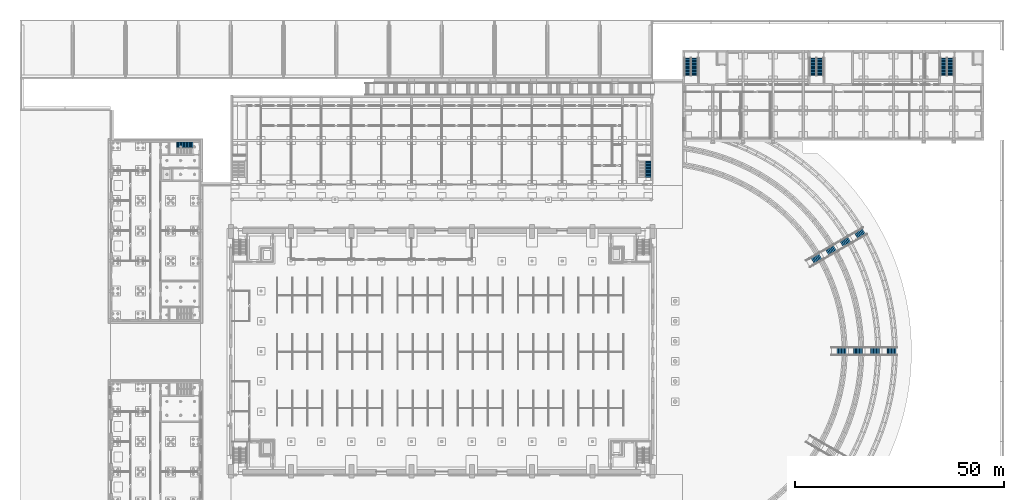
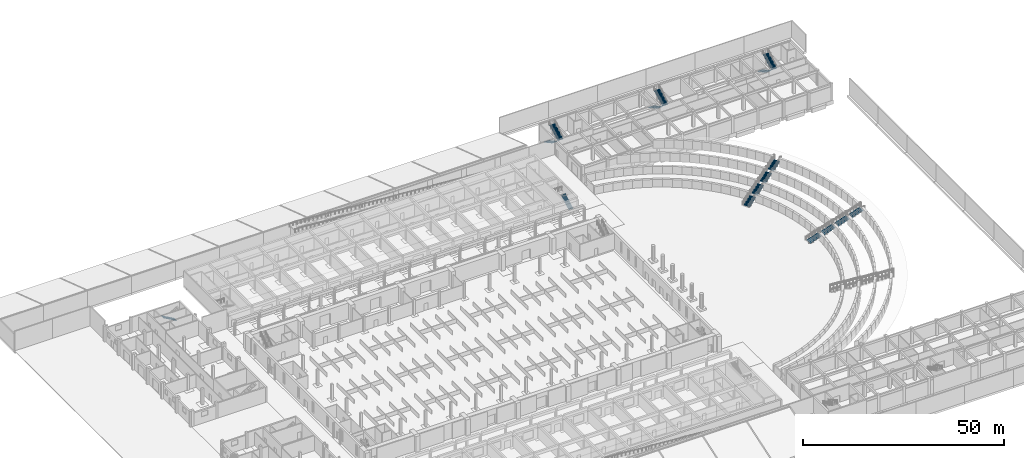
# One storey, part 61 of 73: 16 stair flights, 13 elements without a shape of their own.
"""IFC4 building model written with IfcOpenShell, lengths in metres."""

from ifc_helpers import new_model, si_unit, direction, frame, origin, place, context, subcontext, project, spatial, polyline, outline, extrude, material, type_object, element, aggregate, save


model = new_model("IFC4")

# Units and contexts
model_context = context("Model", 3, precision=1e-05, world=origin(), true_north=direction((0.0, 1.0)))
body_context = subcontext(model_context, "Body", "Model", "MODEL_VIEW")
ifc_project = project(units=[si_unit("LENGTHUNIT", "METRE"), si_unit("AREAUNIT", "SQUARE_METRE"), si_unit("VOLUMEUNIT", "CUBIC_METRE"), si_unit("PLANEANGLEUNIT", "RADIAN"), si_unit("MASSUNIT", "GRAM", prefix="KILO")], contexts=[model_context])

# Site, building, storey
site_placement = place(None, origin())
site = spatial("IfcSite", under=ifc_project, at=site_placement, CompositionType="ELEMENT")
building_placement = place(site_placement, origin())
building = spatial("IfcBuilding", under=site, at=building_placement, Name="Alderwick Market Hall", CompositionType="ELEMENT")
storey_placement = place(building_placement, origin())
storey = spatial("IfcBuildingStorey", under=building, at=storey_placement, Name="LG", CompositionType="ELEMENT", Elevation=0.0)

# Stair, stair flight
ifc_material = material(Name="Concrete 5000 psi (f'c 35 MPa)", Category="concrete")
stair_type_1 = type_object("IfcStairType", Name="A Roof Stair 1300", PredefinedType="TWO_STRAIGHT_RUN_STAIR", material=ifc_material)
stair_1_placement = place(storey_placement, origin())
stair_1 = element("IfcStair", 1, at=stair_1_placement, inside=storey, type_object=stair_type_1, Name="Roof stair NE", PredefinedType="TWO_STRAIGHT_RUN_STAIR")
stair_flight_type_1 = type_object("IfcStairFlightType", Name="A Stair Flight 1300", PredefinedType="STRAIGHT", material=ifc_material)
stair_flight_1_placement = place(storey_placement, frame((150.14990234375, 120.800048828125, 0.0), z_axis=(0.0, 0.0, 1.0), x_axis=(0.0, 1.0, 0.0)))
stair_flight_1 = element("IfcStairFlight", 2, at=stair_flight_1_placement, type_object=stair_flight_type_1, Name="A-ST-NE flight 1", NumberOfRisers=15, NumberOfTreads=14, PredefinedType="STRAIGHT", RiserHeight=0.16, TreadLength=0.28, context=body_context, shape_type="SweptSolid", body=[
    extrude(outline(polyline([(0.00537109375, -0.009521484375), (0.0, 0.0), (0.0, 0.159912109375), (0.280029296875, 0.159912109375), (0.280029296875, 0.320068359375), (0.56005859375, 0.320068359375), (0.56005859375, 0.47998046875), (0.840087890625, 0.47998046875), (0.840087890625, 0.639892578125), (1.1201171875, 0.639892578125), (1.1201171875, 0.800048828125), (1.39990234375, 0.800048828125), (1.39990234375, 0.9599609375), (1.679931640625, 0.9599609375), (1.679931640625, 1.1201171875), (1.9599609375, 1.1201171875), (1.9599609375, 1.280029296875), (2.239990234375, 1.280029296875), (2.239990234375, 1.43994140625), (2.52001953125, 1.43994140625), (2.52001953125, 1.60009765625), (2.800048828125, 1.60009765625), (2.800048828125, 1.760009765625), (3.080078125, 1.760009765625), (3.080078125, 1.919921875), (3.360107421875, 1.919921875), (3.360107421875, 2.080078125), (3.639892578125, 2.080078125), (3.639892578125, 2.239990234375), (3.919921875, 2.239990234375), (3.919921875, 2.227294921875), (0.00537109375, -0.009521484375)])), frame((0.0, 0.64990234375, 0.0), z_axis=(0.0, -1.0, 0.0), x_axis=(1.0, 0.0, 0.0)), (0.0, 0.0, 1.0), 1.300048828125),
])
aggregate(stair_1, [stair_flight_1])

stair_type_2 = type_object("IfcStairType", Name="B Exit Stair 1300", PredefinedType="TWO_STRAIGHT_RUN_STAIR", material=ifc_material)
stair_2_placement = place(storey_placement, origin())
stair_2 = element("IfcStair", 3, at=stair_2_placement, inside=storey, type_object=stair_type_2, Name="Stair N-1 LG", PredefinedType="TWO_STRAIGHT_RUN_STAIR")
stair_flight_type_2 = type_object("IfcStairFlightType", Name="B Stair Flight 1300", PredefinedType="STRAIGHT", material=ifc_material)
stair_flight_2_placement = place(storey_placement, frame((41.300048828125, 128.550048828125, 0.0), z_axis=(0.0, 0.0, 1.0), x_axis=(-1.0, 0.0, 0.0)))
stair_flight_2 = element("IfcStairFlight", 4, at=stair_flight_2_placement, type_object=stair_flight_type_2, Name="B-ST-N-1-LG flight 1", NumberOfRisers=15, NumberOfTreads=14, PredefinedType="STRAIGHT", RiserHeight=0.16, TreadLength=0.28, context=body_context, shape_type="SweptSolid", body=[
    extrude(outline(polyline([(0.00537109375, -0.009521484375), (0.0, 0.0), (0.0, 0.159912109375), (0.280029296875, 0.159912109375), (0.280029296875, 0.320068359375), (0.56005859375, 0.320068359375), (0.56005859375, 0.47998046875), (0.840087890625, 0.47998046875), (0.840087890625, 0.639892578125), (1.1201171875, 0.639892578125), (1.1201171875, 0.800048828125), (1.39990234375, 0.800048828125), (1.39990234375, 0.9599609375), (1.679931640625, 0.9599609375), (1.679931640625, 1.1201171875), (1.9599609375, 1.1201171875), (1.9599609375, 1.280029296875), (2.239990234375, 1.280029296875), (2.239990234375, 1.43994140625), (2.52001953125, 1.43994140625), (2.52001953125, 1.60009765625), (2.800048828125, 1.60009765625), (2.800048828125, 1.760009765625), (3.080078125, 1.760009765625), (3.080078125, 1.919921875), (3.360107421875, 1.919921875), (3.360107421875, 2.080078125), (3.639892578125, 2.080078125), (3.639892578125, 2.239990234375), (3.919921875, 2.239990234375), (3.919921875, 2.227294921875), (0.00537109375, -0.009521484375)])), frame((0.0, 0.64990234375, 0.0), z_axis=(0.0, -1.0, 0.0), x_axis=(1.0, 0.0, 0.0)), (0.0, 0.0, 1.0), 1.300048828125),
])
aggregate(stair_2, [stair_flight_2])

# Stair, stair flights
stair_type_3 = type_object("IfcStairType", Name="F Exit Stair 1600", PredefinedType="HALF_TURN_STAIR", material=ifc_material)
stair_3_placement = place(storey_placement, origin())
stair_3 = element("IfcStair", 5, at=stair_3_placement, inside=storey, type_object=stair_type_3, Name="F.stair.LG.A", PredefinedType="HALF_TURN_STAIR")
stair_flight_type_3 = type_object("IfcStairFlightType", Name="F Stair Flight 1600", PredefinedType="STRAIGHT", material=ifc_material)
stair_flight_3_placement = place(storey_placement, frame((159.60009765625, 149.300048828125, 0.0), z_axis=(0.0, 0.0, 1.0), x_axis=(0.0, -1.0, 0.0)))
stair_flight_3 = element("IfcStairFlight", 6, at=stair_flight_3_placement, type_object=stair_flight_type_3, Name="F-ST-A-LG flight 1", NumberOfRisers=16, NumberOfTreads=15, PredefinedType="STRAIGHT", RiserHeight=0.15, TreadLength=0.28, context=body_context, shape_type="SweptSolid", body=[
    extrude(outline(polyline([(0.00830078125, -0.015625), (0.0, 0.0), (0.0, 0.14990234375), (0.280029296875, 0.14990234375), (0.280029296875, 0.300048828125), (0.56005859375, 0.300048828125), (0.56005859375, 0.449951171875), (0.840087890625, 0.449951171875), (0.840087890625, 0.60009765625), (1.1201171875, 0.60009765625), (1.1201171875, 0.75), (1.39990234375, 0.75), (1.39990234375, 0.89990234375), (1.679931640625, 0.89990234375), (1.679931640625, 1.050048828125), (1.9599609375, 1.050048828125), (1.9599609375, 1.199951171875), (2.239990234375, 1.199951171875), (2.239990234375, 1.35009765625), (2.52001953125, 1.35009765625), (2.52001953125, 1.5), (2.800048828125, 1.5), (2.800048828125, 1.64990234375), (3.080078125, 1.64990234375), (3.080078125, 1.800048828125), (3.360107421875, 1.800048828125), (3.360107421875, 1.949951171875), (3.639892578125, 1.949951171875), (3.639892578125, 2.10009765625), (3.919921875, 2.10009765625), (3.919921875, 2.25), (4.199951171875, 2.25), (4.199951171875, 2.22998046875), (0.00830078125, -0.015625)])), frame((0.0, 0.800048828125, 0.0), z_axis=(0.0, -1.0, 0.0), x_axis=(1.0, 0.0, 0.0)), (0.0, 0.0, 1.0), 1.60009765625),
])
stair_flight_4_placement = place(storey_placement, frame((161.199951171875, 145.10009765625, 2.39990234375), z_axis=(0.0, 0.0, 1.0), x_axis=(0.0, 1.0, 0.0)))
stair_flight_4 = element("IfcStairFlight", 7, at=stair_flight_4_placement, type_object=stair_flight_type_3, Name="F-ST-A-LG flight 2", NumberOfRisers=16, NumberOfTreads=15, PredefinedType="STRAIGHT", RiserHeight=0.15, TreadLength=0.28, context=body_context, shape_type="SweptSolid", body=[
    extrude(outline(polyline([(0.00830078125, -0.015625), (0.0, 0.0), (0.0, 0.14990234375), (0.280029296875, 0.14990234375), (0.280029296875, 0.300048828125), (0.56005859375, 0.300048828125), (0.56005859375, 0.449951171875), (0.840087890625, 0.449951171875), (0.840087890625, 0.60009765625), (1.1201171875, 0.60009765625), (1.1201171875, 0.75), (1.39990234375, 0.75), (1.39990234375, 0.89990234375), (1.679931640625, 0.89990234375), (1.679931640625, 1.050048828125), (1.9599609375, 1.050048828125), (1.9599609375, 1.199951171875), (2.239990234375, 1.199951171875), (2.239990234375, 1.35009765625), (2.52001953125, 1.35009765625), (2.52001953125, 1.5), (2.800048828125, 1.5), (2.800048828125, 1.64990234375), (3.080078125, 1.64990234375), (3.080078125, 1.800048828125), (3.360107421875, 1.800048828125), (3.360107421875, 1.949951171875), (3.639892578125, 1.949951171875), (3.639892578125, 2.10009765625), (3.919921875, 2.10009765625), (3.919921875, 2.25), (4.199951171875, 2.25), (4.199951171875, 2.22998046875), (0.00830078125, -0.015625)])), frame((0.0, 0.800048828125, 0.0), z_axis=(0.0, -1.0, 0.0), x_axis=(1.0, 0.0, 0.0)), (0.0, 0.0, 1.0), 1.60009765625),
])
aggregate(stair_3, [stair_flight_3, stair_flight_4])

stair_4_placement = place(storey_placement, origin())
stair_4 = element("IfcStair", 8, at=stair_4_placement, inside=storey, type_object=stair_type_3, Name="F.stair.LG.B", PredefinedType="HALF_TURN_STAIR")
stair_flight_5_placement = place(storey_placement, frame((189.60009765625, 149.300048828125, 0.0), z_axis=(0.0, 0.0, 1.0), x_axis=(0.0, -1.0, 0.0)))
stair_flight_5 = element("IfcStairFlight", 9, at=stair_flight_5_placement, type_object=stair_flight_type_3, Name="F-ST-B-LG flight 1", NumberOfRisers=16, NumberOfTreads=15, PredefinedType="STRAIGHT", RiserHeight=0.15, TreadLength=0.28, context=body_context, shape_type="SweptSolid", body=[
    extrude(outline(polyline([(0.00830078125, -0.015625), (0.0, 0.0), (0.0, 0.14990234375), (0.280029296875, 0.14990234375), (0.280029296875, 0.300048828125), (0.56005859375, 0.300048828125), (0.56005859375, 0.449951171875), (0.840087890625, 0.449951171875), (0.840087890625, 0.60009765625), (1.1201171875, 0.60009765625), (1.1201171875, 0.75), (1.39990234375, 0.75), (1.39990234375, 0.89990234375), (1.679931640625, 0.89990234375), (1.679931640625, 1.050048828125), (1.9599609375, 1.050048828125), (1.9599609375, 1.199951171875), (2.239990234375, 1.199951171875), (2.239990234375, 1.35009765625), (2.52001953125, 1.35009765625), (2.52001953125, 1.5), (2.800048828125, 1.5), (2.800048828125, 1.64990234375), (3.080078125, 1.64990234375), (3.080078125, 1.800048828125), (3.360107421875, 1.800048828125), (3.360107421875, 1.949951171875), (3.639892578125, 1.949951171875), (3.639892578125, 2.10009765625), (3.919921875, 2.10009765625), (3.919921875, 2.25), (4.199951171875, 2.25), (4.199951171875, 2.22998046875), (0.00830078125, -0.015625)])), frame((0.0, 0.800048828125, 0.0), z_axis=(0.0, -1.0, 0.0), x_axis=(1.0, 0.0, 0.0)), (0.0, 0.0, 1.0), 1.60009765625),
])
stair_flight_6_placement = place(storey_placement, frame((191.199951171875, 145.10009765625, 2.39990234375), z_axis=(0.0, 0.0, 1.0), x_axis=(0.0, 1.0, 0.0)))
stair_flight_6 = element("IfcStairFlight", 10, at=stair_flight_6_placement, type_object=stair_flight_type_3, Name="F-ST-B-LG flight 2", NumberOfRisers=16, NumberOfTreads=15, PredefinedType="STRAIGHT", RiserHeight=0.15, TreadLength=0.28, context=body_context, shape_type="SweptSolid", body=[
    extrude(outline(polyline([(0.00830078125, -0.015625), (0.0, 0.0), (0.0, 0.14990234375), (0.280029296875, 0.14990234375), (0.280029296875, 0.300048828125), (0.56005859375, 0.300048828125), (0.56005859375, 0.449951171875), (0.840087890625, 0.449951171875), (0.840087890625, 0.60009765625), (1.1201171875, 0.60009765625), (1.1201171875, 0.75), (1.39990234375, 0.75), (1.39990234375, 0.89990234375), (1.679931640625, 0.89990234375), (1.679931640625, 1.050048828125), (1.9599609375, 1.050048828125), (1.9599609375, 1.199951171875), (2.239990234375, 1.199951171875), (2.239990234375, 1.35009765625), (2.52001953125, 1.35009765625), (2.52001953125, 1.5), (2.800048828125, 1.5), (2.800048828125, 1.64990234375), (3.080078125, 1.64990234375), (3.080078125, 1.800048828125), (3.360107421875, 1.800048828125), (3.360107421875, 1.949951171875), (3.639892578125, 1.949951171875), (3.639892578125, 2.10009765625), (3.919921875, 2.10009765625), (3.919921875, 2.25), (4.199951171875, 2.25), (4.199951171875, 2.22998046875), (0.00830078125, -0.015625)])), frame((0.0, 0.800048828125, 0.0), z_axis=(0.0, -1.0, 0.0), x_axis=(1.0, 0.0, 0.0)), (0.0, 0.0, 1.0), 1.60009765625),
])
aggregate(stair_4, [stair_flight_5, stair_flight_6])

stair_5_placement = place(storey_placement, origin())
stair_5 = element("IfcStair", 11, at=stair_5_placement, inside=storey, type_object=stair_type_3, Name="F.stair.LG.C", PredefinedType="HALF_TURN_STAIR")
stair_flight_7_placement = place(storey_placement, frame((220.800048828125, 149.300048828125, 0.0), z_axis=(0.0, 0.0, 1.0), x_axis=(0.0, -1.0, 0.0)))
stair_flight_7 = element("IfcStairFlight", 12, at=stair_flight_7_placement, type_object=stair_flight_type_3, Name="F-ST-C-LG flight 1", NumberOfRisers=16, NumberOfTreads=15, PredefinedType="STRAIGHT", RiserHeight=0.15, TreadLength=0.28, context=body_context, shape_type="SweptSolid", body=[
    extrude(outline(polyline([(0.00830078125, -0.015625), (0.0, 0.0), (0.0, 0.14990234375), (0.280029296875, 0.14990234375), (0.280029296875, 0.300048828125), (0.56005859375, 0.300048828125), (0.56005859375, 0.449951171875), (0.840087890625, 0.449951171875), (0.840087890625, 0.60009765625), (1.1201171875, 0.60009765625), (1.1201171875, 0.75), (1.39990234375, 0.75), (1.39990234375, 0.89990234375), (1.679931640625, 0.89990234375), (1.679931640625, 1.050048828125), (1.9599609375, 1.050048828125), (1.9599609375, 1.199951171875), (2.239990234375, 1.199951171875), (2.239990234375, 1.35009765625), (2.52001953125, 1.35009765625), (2.52001953125, 1.5), (2.800048828125, 1.5), (2.800048828125, 1.64990234375), (3.080078125, 1.64990234375), (3.080078125, 1.800048828125), (3.360107421875, 1.800048828125), (3.360107421875, 1.949951171875), (3.639892578125, 1.949951171875), (3.639892578125, 2.10009765625), (3.919921875, 2.10009765625), (3.919921875, 2.25), (4.199951171875, 2.25), (4.199951171875, 2.22998046875), (0.00830078125, -0.015625)])), frame((0.0, 0.800048828125, 0.0), z_axis=(0.0, -1.0, 0.0), x_axis=(1.0, 0.0, 0.0)), (0.0, 0.0, 1.0), 1.60009765625),
])
stair_flight_8_placement = place(storey_placement, frame((222.39990234375, 145.10009765625, 2.39990234375), z_axis=(0.0, 0.0, 1.0), x_axis=(0.0, 1.0, 0.0)))
stair_flight_8 = element("IfcStairFlight", 13, at=stair_flight_8_placement, type_object=stair_flight_type_3, Name="F-ST-C-LG flight 2", NumberOfRisers=16, NumberOfTreads=15, PredefinedType="STRAIGHT", RiserHeight=0.15, TreadLength=0.28, context=body_context, shape_type="SweptSolid", body=[
    extrude(outline(polyline([(0.00830078125, -0.015625), (0.0, 0.0), (0.0, 0.14990234375), (0.280029296875, 0.14990234375), (0.280029296875, 0.300048828125), (0.56005859375, 0.300048828125), (0.56005859375, 0.449951171875), (0.840087890625, 0.449951171875), (0.840087890625, 0.60009765625), (1.1201171875, 0.60009765625), (1.1201171875, 0.75), (1.39990234375, 0.75), (1.39990234375, 0.89990234375), (1.679931640625, 0.89990234375), (1.679931640625, 1.050048828125), (1.9599609375, 1.050048828125), (1.9599609375, 1.199951171875), (2.239990234375, 1.199951171875), (2.239990234375, 1.35009765625), (2.52001953125, 1.35009765625), (2.52001953125, 1.5), (2.800048828125, 1.5), (2.800048828125, 1.64990234375), (3.080078125, 1.64990234375), (3.080078125, 1.800048828125), (3.360107421875, 1.800048828125), (3.360107421875, 1.949951171875), (3.639892578125, 1.949951171875), (3.639892578125, 2.10009765625), (3.919921875, 2.10009765625), (3.919921875, 2.25), (4.199951171875, 2.25), (4.199951171875, 2.22998046875), (0.00830078125, -0.015625)])), frame((0.0, 0.800048828125, 0.0), z_axis=(0.0, -1.0, 0.0), x_axis=(1.0, 0.0, 0.0)), (0.0, 0.0, 1.0), 1.60009765625),
])
aggregate(stair_5, [stair_flight_7, stair_flight_8])

# Stair, stair flight
stair_type_4 = type_object("IfcStairType", Name="S Garden Stair", PredefinedType="STRAIGHT_RUN_STAIR", material=ifc_material)
stair_6_placement = place(storey_placement, origin())
stair_6 = element("IfcStair", 14, at=stair_6_placement, inside=storey, type_object=stair_type_4, Name="Terrace stair 1.2", PredefinedType="STRAIGHT_RUN_STAIR")
stair_flight_type_4 = type_object("IfcStairFlightType", Name="S Garden Stair Flight", PredefinedType="STRAIGHT", material=ifc_material)
stair_flight_9_placement = place(storey_placement, frame((194.24853515625, 79.199951171875, 0.0), z_axis=(0.0, 0.0, 1.0), x_axis=(1.0, 0.0, 0.0)))
stair_flight_9 = element("IfcStairFlight", 15, at=stair_flight_9_placement, type_object=stair_flight_type_4, Name="S-ST1 flight 1", NumberOfRisers=10, NumberOfTreads=9, PredefinedType="STRAIGHT", RiserHeight=0.12, TreadLength=0.35, context=body_context, shape_type="SweptSolid", body=[
    extrude(outline(polyline([(0.01171875, -0.034423828125), (0.0, 0.0), (0.0, 0.1201171875), (0.35009765625, 0.1201171875), (0.35009765625, 0.239990234375), (0.699951171875, 0.239990234375), (0.699951171875, 0.360107421875), (1.050048828125, 0.360107421875), (1.050048828125, 0.47998046875), (1.39990234375, 0.47998046875), (1.39990234375, 0.60009765625), (1.75, 0.60009765625), (1.75, 0.719970703125), (2.10009765625, 0.719970703125), (2.10009765625, 0.840087890625), (2.449951171875, 0.840087890625), (2.449951171875, 0.9599609375), (2.800048828125, 0.9599609375), (2.800048828125, 1.080078125), (3.14990234375, 1.080078125), (3.14990234375, 1.04150390625), (0.01171875, -0.034423828125)])), frame((0.0, 0.89990234375, 0.0), z_axis=(0.0, -1.0, 0.0), x_axis=(1.0, 0.0, 0.0)), (0.0, 0.0, 1.0), 1.800048828125),
])
aggregate(stair_6, [stair_flight_9])

stair_7_placement = place(storey_placement, origin())
stair_7 = element("IfcStair", 16, at=stair_7_placement, inside=storey, type_object=stair_type_4, Name="Terrace stair 1.3", PredefinedType="STRAIGHT_RUN_STAIR")
stair_flight_10_placement = place(storey_placement, frame((188.601806640625, 100.2744140625, 0.0), z_axis=(0.0, 0.0, 1.0), x_axis=(0.866025403784, 0.5, 0.0)))
stair_flight_10 = element("IfcStairFlight", 17, at=stair_flight_10_placement, type_object=stair_flight_type_4, Name="S-ST1 flight 1", NumberOfRisers=10, NumberOfTreads=9, PredefinedType="STRAIGHT", RiserHeight=0.12, TreadLength=0.35, context=body_context, shape_type="SweptSolid", body=[
    extrude(outline(polyline([(0.01171875, -0.034423828125), (0.0, 0.0), (0.0, 0.1201171875), (0.35009765625, 0.1201171875), (0.35009765625, 0.239990234375), (0.699951171875, 0.239990234375), (0.699951171875, 0.360107421875), (1.050048828125, 0.360107421875), (1.050048828125, 0.47998046875), (1.39990234375, 0.47998046875), (1.39990234375, 0.60009765625), (1.75, 0.60009765625), (1.75, 0.719970703125), (2.10009765625, 0.719970703125), (2.10009765625, 0.840087890625), (2.449951171875, 0.840087890625), (2.449951171875, 0.9599609375), (2.800048828125, 0.9599609375), (2.800048828125, 1.080078125), (3.14990234375, 1.080078125), (3.14990234375, 1.04150390625), (0.01171875, -0.034423828125)])), frame((0.0, 0.89990234375, 0.0), z_axis=(0.0, -1.0, 0.0), x_axis=(1.0, 0.0, 0.0)), (0.0, 0.0, 1.0), 1.800048828125),
])
aggregate(stair_7, [stair_flight_10])

stair_8_placement = place(storey_placement, origin())
stair_8 = element("IfcStair", 18, at=stair_8_placement, inside=storey, type_object=stair_type_4, Name="Terrace stair 2.2", PredefinedType="STRAIGHT_RUN_STAIR")
stair_flight_11_placement = place(storey_placement, frame((198.24951171875, 79.199951171875, 1.199951171875), z_axis=(0.0, 0.0, 1.0), x_axis=(1.0, 0.0, 0.0)))
stair_flight_11 = element("IfcStairFlight", 19, at=stair_flight_11_placement, type_object=stair_flight_type_4, Name="S-ST1 flight 1", NumberOfRisers=10, NumberOfTreads=9, PredefinedType="STRAIGHT", RiserHeight=0.12, TreadLength=0.35, context=body_context, shape_type="SweptSolid", body=[
    extrude(outline(polyline([(0.01171875, -0.034423828125), (0.0, 0.0), (0.0, 0.1201171875), (0.35009765625, 0.1201171875), (0.35009765625, 0.239990234375), (0.699951171875, 0.239990234375), (0.699951171875, 0.360107421875), (1.050048828125, 0.360107421875), (1.050048828125, 0.47998046875), (1.39990234375, 0.47998046875), (1.39990234375, 0.60009765625), (1.75, 0.60009765625), (1.75, 0.719970703125), (2.10009765625, 0.719970703125), (2.10009765625, 0.840087890625), (2.449951171875, 0.840087890625), (2.449951171875, 0.9599609375), (2.800048828125, 0.9599609375), (2.800048828125, 1.080078125), (3.14990234375, 1.080078125), (3.14990234375, 1.04150390625), (0.01171875, -0.034423828125)])), frame((0.0, 0.89990234375, 0.0), z_axis=(0.0, -1.0, 0.0), x_axis=(1.0, 0.0, 0.0)), (0.0, 0.0, 1.0), 1.800048828125),
])
aggregate(stair_8, [stair_flight_11])

stair_9_placement = place(storey_placement, origin())
stair_9 = element("IfcStair", 20, at=stair_9_placement, inside=storey, type_object=stair_type_4, Name="Terrace stair 2.3", PredefinedType="STRAIGHT_RUN_STAIR")
stair_flight_12_placement = place(storey_placement, frame((192.066650390625, 102.274658203125, 1.199951171875), z_axis=(0.0, 0.0, 1.0), x_axis=(0.866025403784, 0.5, 0.0)))
stair_flight_12 = element("IfcStairFlight", 21, at=stair_flight_12_placement, type_object=stair_flight_type_4, Name="S-ST1 flight 1", NumberOfRisers=10, NumberOfTreads=9, PredefinedType="STRAIGHT", RiserHeight=0.12, TreadLength=0.35, context=body_context, shape_type="SweptSolid", body=[
    extrude(outline(polyline([(0.01171875, -0.034423828125), (0.0, 0.0), (0.0, 0.1201171875), (0.35009765625, 0.1201171875), (0.35009765625, 0.239990234375), (0.699951171875, 0.239990234375), (0.699951171875, 0.360107421875), (1.050048828125, 0.360107421875), (1.050048828125, 0.47998046875), (1.39990234375, 0.47998046875), (1.39990234375, 0.60009765625), (1.75, 0.60009765625), (1.75, 0.719970703125), (2.10009765625, 0.719970703125), (2.10009765625, 0.840087890625), (2.449951171875, 0.840087890625), (2.449951171875, 0.9599609375), (2.800048828125, 0.9599609375), (2.800048828125, 1.080078125), (3.14990234375, 1.080078125), (3.14990234375, 1.04150390625), (0.01171875, -0.034423828125)])), frame((0.0, 0.89990234375, 0.0), z_axis=(0.0, -1.0, 0.0), x_axis=(1.0, 0.0, 0.0)), (0.0, 0.0, 1.0), 1.800048828125),
])
aggregate(stair_9, [stair_flight_12])

stair_10_placement = place(storey_placement, origin())
stair_10 = element("IfcStair", 22, at=stair_10_placement, inside=storey, type_object=stair_type_4, Name="Terrace stair 3.2", PredefinedType="STRAIGHT_RUN_STAIR")
stair_flight_13_placement = place(storey_placement, frame((202.250244140625, 79.199951171875, 2.39990234375), z_axis=(0.0, 0.0, 1.0), x_axis=(1.0, 0.0, 0.0)))
stair_flight_13 = element("IfcStairFlight", 23, at=stair_flight_13_placement, type_object=stair_flight_type_4, Name="S-ST1 flight 1", NumberOfRisers=10, NumberOfTreads=9, PredefinedType="STRAIGHT", RiserHeight=0.12, TreadLength=0.35, context=body_context, shape_type="SweptSolid", body=[
    extrude(outline(polyline([(0.01171875, -0.034423828125), (0.0, 0.0), (0.0, 0.1201171875), (0.35009765625, 0.1201171875), (0.35009765625, 0.239990234375), (0.699951171875, 0.239990234375), (0.699951171875, 0.360107421875), (1.050048828125, 0.360107421875), (1.050048828125, 0.47998046875), (1.39990234375, 0.47998046875), (1.39990234375, 0.60009765625), (1.75, 0.60009765625), (1.75, 0.719970703125), (2.10009765625, 0.719970703125), (2.10009765625, 0.840087890625), (2.449951171875, 0.840087890625), (2.449951171875, 0.9599609375), (2.800048828125, 0.9599609375), (2.800048828125, 1.080078125), (3.14990234375, 1.080078125), (3.14990234375, 1.04150390625), (0.01171875, -0.034423828125)])), frame((0.0, 0.89990234375, 0.0), z_axis=(0.0, -1.0, 0.0), x_axis=(1.0, 0.0, 0.0)), (0.0, 0.0, 1.0), 1.800048828125),
])
aggregate(stair_10, [stair_flight_13])

stair_11_placement = place(storey_placement, origin())
stair_11 = element("IfcStair", 24, at=stair_11_placement, inside=storey, type_object=stair_type_4, Name="Terrace stair 3.3", PredefinedType="STRAIGHT_RUN_STAIR")
stair_flight_14_placement = place(storey_placement, frame((195.531494140625, 104.275146484375, 2.39990234375), z_axis=(0.0, 0.0, 1.0), x_axis=(0.866025403784, 0.5, 0.0)))
stair_flight_14 = element("IfcStairFlight", 25, at=stair_flight_14_placement, type_object=stair_flight_type_4, Name="S-ST1 flight 1", NumberOfRisers=10, NumberOfTreads=9, PredefinedType="STRAIGHT", RiserHeight=0.12, TreadLength=0.35, context=body_context, shape_type="SweptSolid", body=[
    extrude(outline(polyline([(0.01171875, -0.034423828125), (0.0, 0.0), (0.0, 0.1201171875), (0.35009765625, 0.1201171875), (0.35009765625, 0.239990234375), (0.699951171875, 0.239990234375), (0.699951171875, 0.360107421875), (1.050048828125, 0.360107421875), (1.050048828125, 0.47998046875), (1.39990234375, 0.47998046875), (1.39990234375, 0.60009765625), (1.75, 0.60009765625), (1.75, 0.719970703125), (2.10009765625, 0.719970703125), (2.10009765625, 0.840087890625), (2.449951171875, 0.840087890625), (2.449951171875, 0.9599609375), (2.800048828125, 0.9599609375), (2.800048828125, 1.080078125), (3.14990234375, 1.080078125), (3.14990234375, 1.04150390625), (0.01171875, -0.034423828125)])), frame((0.0, 0.89990234375, 0.0), z_axis=(0.0, -1.0, 0.0), x_axis=(1.0, 0.0, 0.0)), (0.0, 0.0, 1.0), 1.800048828125),
])
aggregate(stair_11, [stair_flight_14])

stair_12_placement = place(storey_placement, origin())
stair_12 = element("IfcStair", 26, at=stair_12_placement, inside=storey, type_object=stair_type_4, Name="Terrace stair 4.2", PredefinedType="STRAIGHT_RUN_STAIR")
stair_flight_15_placement = place(storey_placement, frame((206.2509765625, 79.199951171875, 3.60009765625), z_axis=(0.0, 0.0, 1.0), x_axis=(1.0, 0.0, 0.0)))
stair_flight_15 = element("IfcStairFlight", 27, at=stair_flight_15_placement, type_object=stair_flight_type_4, Name="S-ST1 flight 1", NumberOfRisers=10, NumberOfTreads=9, PredefinedType="STRAIGHT", RiserHeight=0.12, TreadLength=0.35, context=body_context, shape_type="SweptSolid", body=[
    extrude(outline(polyline([(0.01171875, -0.034423828125), (0.0, 0.0), (0.0, 0.1201171875), (0.35009765625, 0.1201171875), (0.35009765625, 0.239990234375), (0.699951171875, 0.239990234375), (0.699951171875, 0.360107421875), (1.050048828125, 0.360107421875), (1.050048828125, 0.47998046875), (1.39990234375, 0.47998046875), (1.39990234375, 0.60009765625), (1.75, 0.60009765625), (1.75, 0.719970703125), (2.10009765625, 0.719970703125), (2.10009765625, 0.840087890625), (2.449951171875, 0.840087890625), (2.449951171875, 0.9599609375), (2.800048828125, 0.9599609375), (2.800048828125, 1.080078125), (3.14990234375, 1.080078125), (3.14990234375, 1.04150390625), (0.01171875, -0.034423828125)])), frame((0.0, 0.89990234375, 0.0), z_axis=(0.0, -1.0, 0.0), x_axis=(1.0, 0.0, 0.0)), (0.0, 0.0, 1.0), 1.800048828125),
])
aggregate(stair_12, [stair_flight_15])

stair_13_placement = place(storey_placement, origin())
stair_13 = element("IfcStair", 28, at=stair_13_placement, inside=storey, type_object=stair_type_4, Name="Terrace stair 4.3", PredefinedType="STRAIGHT_RUN_STAIR")
stair_flight_16_placement = place(storey_placement, frame((198.99609375, 106.275390625, 3.60009765625), z_axis=(0.0, 0.0, 1.0), x_axis=(0.866025403784, 0.5, 0.0)))
stair_flight_16 = element("IfcStairFlight", 29, at=stair_flight_16_placement, type_object=stair_flight_type_4, Name="S-ST1 flight 1", NumberOfRisers=10, NumberOfTreads=9, PredefinedType="STRAIGHT", RiserHeight=0.12, TreadLength=0.35, context=body_context, shape_type="SweptSolid", body=[
    extrude(outline(polyline([(0.01171875, -0.034423828125), (0.0, 0.0), (0.0, 0.1201171875), (0.35009765625, 0.1201171875), (0.35009765625, 0.239990234375), (0.699951171875, 0.239990234375), (0.699951171875, 0.360107421875), (1.050048828125, 0.360107421875), (1.050048828125, 0.47998046875), (1.39990234375, 0.47998046875), (1.39990234375, 0.60009765625), (1.75, 0.60009765625), (1.75, 0.719970703125), (2.10009765625, 0.719970703125), (2.10009765625, 0.840087890625), (2.449951171875, 0.840087890625), (2.449951171875, 0.9599609375), (2.800048828125, 0.9599609375), (2.800048828125, 1.080078125), (3.14990234375, 1.080078125), (3.14990234375, 1.04150390625), (0.01171875, -0.034423828125)])), frame((0.0, 0.89990234375, 0.0), z_axis=(0.0, -1.0, 0.0), x_axis=(1.0, 0.0, 0.0)), (0.0, 0.0, 1.0), 1.800048828125),
])
aggregate(stair_13, [stair_flight_16])

save(model, "model.ifc")
